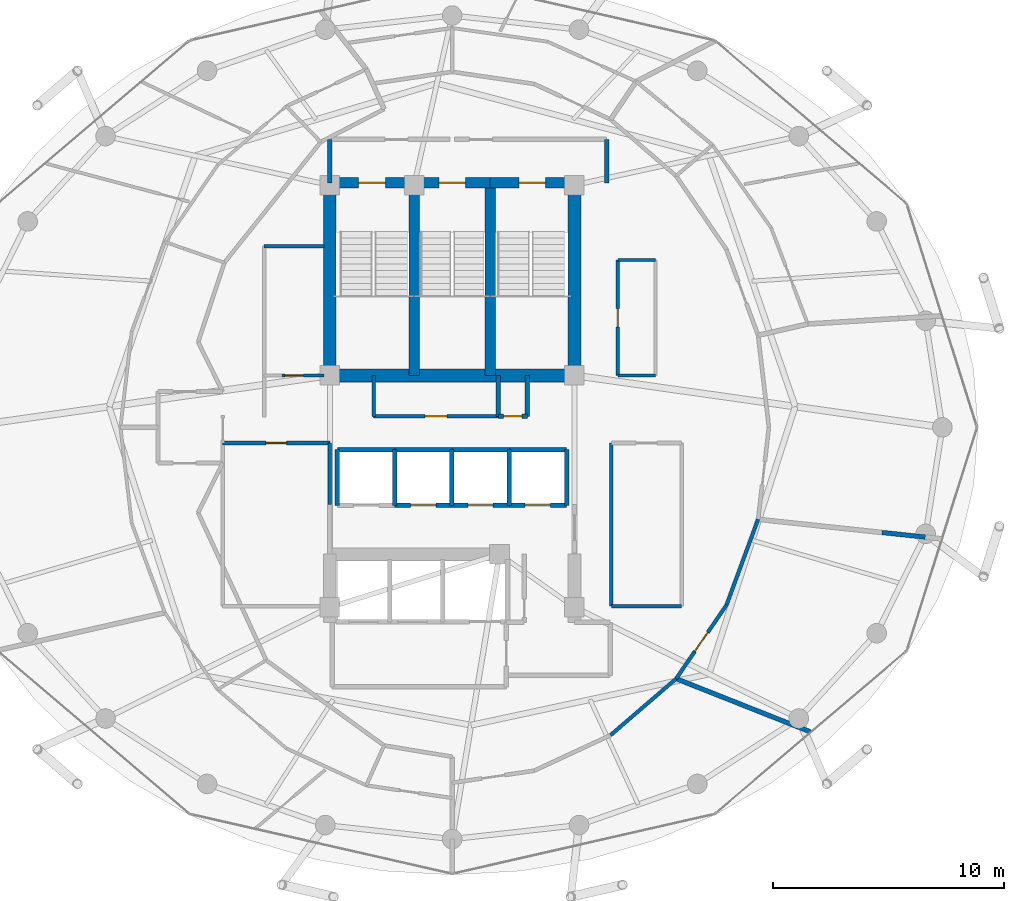
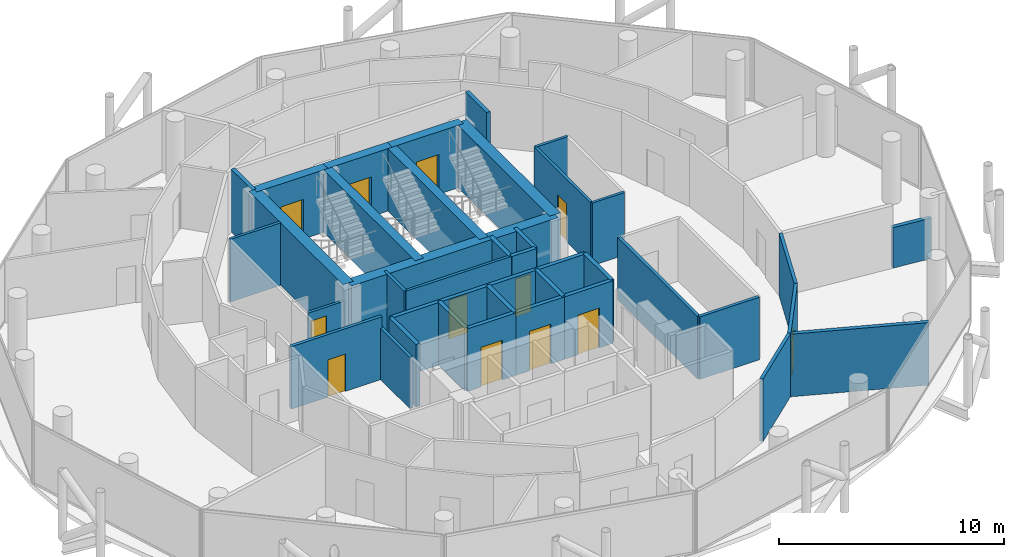
# One storey, part 24 of 27: 41 walls, 12 doors, 12 openings.
"""IFC4 building model written with IfcOpenShell, lengths in metres."""

from ifc_helpers import new_model, si_unit, direction, frame, frame_2d, origin, place, context, subcontext, project, spatial, rectangle, extrude, material, layer, layer_set, type_object, element, fill, save


model = new_model("IFC4")

# Units and contexts
model_context = context("Model", 3, precision=1e-05, world=origin(), true_north=direction((0.0, 1.0)))
body_context = subcontext(model_context, "Body", "Model", "MODEL_VIEW")
ifc_project = project(units=[si_unit("LENGTHUNIT", "METRE"), si_unit("AREAUNIT", "SQUARE_METRE"), si_unit("VOLUMEUNIT", "CUBIC_METRE"), si_unit("PLANEANGLEUNIT", "RADIAN"), si_unit("MASSUNIT", "GRAM", prefix="KILO")], contexts=[model_context])

# Site, building, storey
site_placement = place(None, origin())
site = spatial("IfcSite", under=ifc_project, at=site_placement, CompositionType="ELEMENT")
building_placement = place(site_placement, origin())
building = spatial("IfcBuilding", under=site, at=building_placement, Name="Nuhasar Tower", CompositionType="ELEMENT")
storey_placement = place(building_placement, frame((0.0, 0.0, 251.949951171875)))
storey = spatial("IfcBuildingStorey", under=building, at=storey_placement, Name="L62", CompositionType="ELEMENT", Elevation=251.949951171875)

# Wall, opening, door
ifc_material_1 = material(Name="Concrete C50/60", Category="concrete")
ifc_layer_1 = layer(ifc_material_1, 0.449951171875)
ifc_layer_set_1 = layer_set([ifc_layer_1], Name="Concrete C50/60")
wall_type_1 = type_object("IfcWallType", Name="WL-CORE-450", PredefinedType="SHEAR", material=ifc_layer_set_1)
wall_1_placement = place(storey_placement, frame((37.35009765625, 37.39990234375, 0.0), z_axis=(0.0, 0.0, 1.0), x_axis=(-1.0, 0.0, 0.0)))
wall_1 = element("IfcWall", 1, at=wall_1_placement, inside=storey, type_object=wall_type_1, Name="L62 Stairwell Shear Wall ST01-N", PredefinedType="SHEAR", context=body_context, shape_type="SweptSolid", body=[
    extrude(rectangle(XDim=3.650146484375, YDim=0.449951171875, at=frame_2d((1.8251953125, 0.0))), origin(), (0.0, 0.0, 1.0), 3.39013671875),
])
opening_1_placement = place(wall_1_placement, frame((1.25, 0.0, 0.0)))
opening_1 = element("IfcOpeningElement", 2, at=opening_1_placement, cuts=wall_1, Name="Opening DS-01", PredefinedType="OPENING", context=body_context, shape_type="SweptSolid", body=[
    extrude(rectangle(XDim=1.14990234375, YDim=2.14990234375, at=frame_2d((0.574951171875, 1.074951171875))), frame((0.0, 0.23486328125, 0.0), z_axis=(0.0, -1.0, 0.0), x_axis=(1.0, 0.0, 0.0)), (0.0, 0.0, 1.0), 0.469970703125),
])
ifc_material_2 = material(Name="Steel S355", Category="steel")
door_type_1 = type_object("IfcDoorType", Name="DR-STAIR-FD120-1150", OperationType="NOTDEFINED", PredefinedType="DOOR", material=ifc_material_2)
door_1_placement = place(opening_1_placement, origin())
door_1 = element("IfcDoor", 3, at=door_1_placement, inside=storey, type_object=door_type_1, Name="L62 Exit Stair ST-01 Door", OperationType="SINGLE_SWING_RIGHT", OverallHeight=2.14990234375, OverallWidth=1.14990234375, PredefinedType="DOOR", context=body_context, shape_type="SweptSolid", body=[
    extrude(rectangle(XDim=1.14990234375, YDim=2.14990234375, at=frame_2d((0.574951171875, 1.074951171875))), frame((0.0, 0.02490234375, 0.0), z_axis=(0.0, -1.0, 0.0), x_axis=(1.0, 0.0, 0.0)), (0.0, 0.0, 1.0), 0.050048828125),
])
fill(opening_1, door_1)

# Wall
wall_2_placement = place(storey_placement, frame((37.35009765625, 29.050048828125, 0.0), z_axis=(0.0, 0.0, 1.0), x_axis=(0.0, 1.0, 0.0)))
element("IfcWall", 4, at=wall_2_placement, inside=storey, type_object=wall_type_1, Name="L62 Stairwell Shear Wall ST01-E", PredefinedType="SHEAR", context=body_context, shape_type="SweptSolid", body=[
    extrude(rectangle(XDim=8.349853515625, YDim=0.449951171875, at=frame_2d((4.1748046875, 0.0))), origin(), (0.0, 0.0, 1.0), 3.39013671875),
])

# Wall, opening, door
wall_3_placement = place(storey_placement, frame((40.64990234375, 37.39990234375, 0.0), z_axis=(0.0, 0.0, 1.0), x_axis=(-1.0, 0.0, 0.0)))
wall_3 = element("IfcWall", 5, at=wall_3_placement, inside=storey, type_object=wall_type_1, Name="L62 Stairwell Shear Wall ST03-N", PredefinedType="SHEAR", context=body_context, shape_type="SweptSolid", body=[
    extrude(rectangle(XDim=3.2998046875, YDim=0.449951171875, at=frame_2d((1.64990234375, 0.0))), origin(), (0.0, 0.0, 1.0), 3.39013671875),
])
opening_2_placement = place(wall_3_placement, frame((1.074951171875, 0.0, 0.0)))
opening_2 = element("IfcOpeningElement", 6, at=opening_2_placement, cuts=wall_3, Name="Opening DS-01", PredefinedType="OPENING", context=body_context, shape_type="SweptSolid", body=[
    extrude(rectangle(XDim=1.14990234375, YDim=2.14990234375, at=frame_2d((0.574951171875, 1.074951171875))), frame((0.0, 0.23486328125, 0.0), z_axis=(0.0, -1.0, 0.0), x_axis=(1.0, 0.0, 0.0)), (0.0, 0.0, 1.0), 0.469970703125),
])
door_2_placement = place(opening_2_placement, origin())
door_2 = element("IfcDoor", 7, at=door_2_placement, inside=storey, type_object=door_type_1, Name="L62 Exit Stair ST-03 Door", OperationType="SINGLE_SWING_RIGHT", OverallHeight=2.14990234375, OverallWidth=1.14990234375, PredefinedType="DOOR", context=body_context, shape_type="SweptSolid", body=[
    extrude(rectangle(XDim=1.14990234375, YDim=2.14990234375, at=frame_2d((0.574951171875, 1.074951171875))), frame((0.0, 0.02490234375, 0.0), z_axis=(0.0, -1.0, 0.0), x_axis=(1.0, 0.0, 0.0)), (0.0, 0.0, 1.0), 0.050048828125),
])
fill(opening_2, door_2)

# Wall
wall_4_placement = place(storey_placement, frame((40.64990234375, 29.050048828125, 0.0), z_axis=(0.0, 0.0, 1.0), x_axis=(0.0, 1.0, 0.0)))
element("IfcWall", 8, at=wall_4_placement, inside=storey, type_object=wall_type_1, Name="L62 Stairwell Shear Wall ST03-E", PredefinedType="SHEAR", context=body_context, shape_type="SweptSolid", body=[
    extrude(rectangle(XDim=8.349853515625, YDim=0.449951171875, at=frame_2d((4.1748046875, 0.0))), origin(), (0.0, 0.0, 1.0), 3.39013671875),
])

# Wall, opening, door
wall_5_placement = place(storey_placement, frame((44.300048828125, 37.39990234375, 0.0), z_axis=(0.0, 0.0, 1.0), x_axis=(-1.0, 0.0, 0.0)))
wall_5 = element("IfcWall", 9, at=wall_5_placement, inside=storey, type_object=wall_type_1, Name="L62 Stairwell Shear Wall ST02-N", PredefinedType="SHEAR", context=body_context, shape_type="SweptSolid", body=[
    extrude(rectangle(XDim=3.650146484375, YDim=0.449951171875, at=frame_2d((1.8251953125, 0.0))), origin(), (0.0, 0.0, 1.0), 3.39013671875),
])
opening_3_placement = place(wall_5_placement, frame((1.25, 0.0, 0.0)))
opening_3 = element("IfcOpeningElement", 10, at=opening_3_placement, cuts=wall_5, Name="Opening DS-01", PredefinedType="OPENING", context=body_context, shape_type="SweptSolid", body=[
    extrude(rectangle(XDim=1.14990234375, YDim=2.14990234375, at=frame_2d((0.574951171875, 1.074951171875))), frame((0.0, 0.23486328125, 0.0), z_axis=(0.0, -1.0, 0.0), x_axis=(1.0, 0.0, 0.0)), (0.0, 0.0, 1.0), 0.469970703125),
])
door_3_placement = place(opening_3_placement, origin())
door_3 = element("IfcDoor", 11, at=door_3_placement, inside=storey, type_object=door_type_1, Name="L62 Exit Stair ST-02 Door", OperationType="SINGLE_SWING_LEFT", OverallHeight=2.14990234375, OverallWidth=1.14990234375, PredefinedType="DOOR", context=body_context, shape_type="SweptSolid", body=[
    extrude(rectangle(XDim=1.14990234375, YDim=2.14990234375, at=frame_2d((0.574951171875, 1.074951171875))), frame((0.0, 0.02490234375, 0.0), z_axis=(0.0, -1.0, 0.0), x_axis=(1.0, 0.0, 0.0)), (0.0, 0.0, 1.0), 0.050048828125),
])
fill(opening_3, door_3)

# Walls
ifc_material_3 = material(Name="Concrete C55/67", Category="concrete")
ifc_layer_2 = layer(ifc_material_3, 0.550048828125)
ifc_layer_set_2 = layer_set([ifc_layer_2], Name="Concrete C55/67")
wall_type_2 = type_object("IfcWallType", Name="WL-CORE-550", PredefinedType="SHEAR", material=ifc_layer_set_2)
for number, where, z_axis, x_axis, name in (
    (12, (33.699951171875, 29.050048828125, 0.0), (0.0, 0.0, 1.0), (0.0, 1.0, 0.0), "L62 Core Shear Wall CW-NW CW-550"),
    (13, (44.300048828125, 29.050048828125, 0.0), (0.0, 0.0, 1.0), (0.0, 1.0, 0.0), "L62 Core Shear Wall CW-NE CW-550"),
):
    element("IfcWall", number, at=place(storey_placement, frame(where, z_axis=z_axis, x_axis=x_axis)), inside=storey, type_object=wall_type_2, Name=name, PredefinedType="SHEAR", context=body_context, shape_type="SweptSolid", body=[
        extrude(rectangle(XDim=8.349853515625, YDim=0.550048828125, at=frame_2d((4.1748046875, 0.0))), origin(), (0.0, 0.0, 1.0), 3.39013671875),
    ])
wall_6_placement = place(storey_placement, frame((33.699951171875, 29.050048828125, 0.0), z_axis=(0.0, 0.0, 1.0), x_axis=(1.0, 0.0, 0.0)))
element("IfcWall", 14, at=wall_6_placement, inside=storey, type_object=wall_type_2, Name="L62 Core Shear Wall CW-N1 CW-550", PredefinedType="SHEAR", context=body_context, shape_type="SweptSolid", body=[
    extrude(rectangle(XDim=10.60009765625, YDim=0.550048828125, at=frame_2d((5.300048828125, 0.0))), origin(), (0.0, 0.0, 1.0), 3.39013671875),
])
ifc_material_4 = material(Name="Gypsum Board", Category="gypsum")
ifc_layer_3 = layer(ifc_material_4, 0.159912109375)
ifc_layer_set_3 = layer_set([ifc_layer_3], Name="Gypsum Board")
wall_type_3 = type_object("IfcWallType", Name="WL-CORR-160", PredefinedType="PARTITIONING", material=ifc_layer_set_3)
wall_7_placement = place(storey_placement, frame((33.699951171875, 23.449951171875, 0.0), z_axis=(0.0, 0.0, 1.0), x_axis=(0.0, 1.0, 0.0)))
element("IfcWall", 15, at=wall_7_placement, inside=storey, type_object=wall_type_3, Name="L62 Interior Partition RECL-B1-E", PredefinedType="PARTITIONING", context=body_context, shape_type="SweptSolid", body=[
    extrude(rectangle(XDim=2.670166015625, YDim=0.159912109375, at=frame_2d((1.3349609375, 0.0))), origin(), (0.0, 0.0, 1.0), 2.775146484375),
])

# Wall, opening, door
wall_8_placement = place(storey_placement, frame((33.699951171875, 26.1201171875, 0.0), z_axis=(0.0, 0.0, 1.0), x_axis=(-1.0, 0.0, 0.0)))
wall_8 = element("IfcWall", 16, at=wall_8_placement, inside=storey, type_object=wall_type_3, Name="L62 Interior Partition RECL-B1-N", PredefinedType="PARTITIONING", context=body_context, shape_type="SweptSolid", body=[
    extrude(rectangle(XDim=4.64990234375, YDim=0.159912109375, at=frame_2d((2.324951171875, 0.0))), origin(), (0.0, 0.0, 1.0), 3.39013671875),
])
opening_4_placement = place(wall_8_placement, frame((1.875, 0.0, 0.0)))
opening_4 = element("IfcOpeningElement", 17, at=opening_4_placement, cuts=wall_8, Name="Opening DR-01B", PredefinedType="OPENING", context=body_context, shape_type="SweptSolid", body=[
    extrude(rectangle(XDim=0.89990234375, YDim=2.02001953125, at=frame_2d((0.449951171875, 1.010009765625))), frame((0.0, 0.08984375, 0.0), z_axis=(0.0, -1.0, 0.0), x_axis=(1.0, 0.0, 0.0)), (0.0, 0.0, 1.0), 0.179931640625),
])
ifc_material_5 = material(Name="Timber Oak", Category="wood")
door_type_2 = type_object("IfcDoorType", Name="DR-L62-ROOM-900", OperationType="NOTDEFINED", PredefinedType="DOOR", material=ifc_material_5)
door_4_placement = place(opening_4_placement, origin())
door_4 = element("IfcDoor", 18, at=door_4_placement, inside=storey, type_object=door_type_2, Name="L62 Butler Store Door", OperationType="SINGLE_SWING_LEFT", OverallHeight=2.02001953125, OverallWidth=0.89990234375, PredefinedType="DOOR", context=body_context, shape_type="SweptSolid", body=[
    extrude(rectangle(XDim=0.89990234375, YDim=2.02001953125, at=frame_2d((0.449951171875, 1.010009765625))), frame((0.0, 0.02490234375, 0.0), z_axis=(0.0, -1.0, 0.0), x_axis=(1.0, 0.0, 0.0)), (0.0, 0.0, 1.0), 0.050048828125),
])
fill(opening_4, door_4)

# Walls
wall_9_placement = place(storey_placement, frame((45.89990234375, 19.050048828125, 0.0), z_axis=(0.0, 0.0, 1.0), x_axis=(1.0, 0.0, 0.0)))
element("IfcWall", 19, at=wall_9_placement, inside=storey, type_object=wall_type_3, Name="L62 Interior Partition RECL-B2-S", PredefinedType="PARTITIONING", context=body_context, shape_type="SweptSolid", body=[
    extrude(rectangle(XDim=3.050048828125, YDim=0.159912109375, at=frame_2d((1.52490234375, 0.0))), origin(), (0.0, 0.0, 1.0), 3.39013671875),
])
wall_10_placement = place(storey_placement, frame((45.89990234375, 19.050048828125, 0.0), z_axis=(0.0, 0.0, 1.0), x_axis=(0.0, 1.0, 0.0)))
element("IfcWall", 20, at=wall_10_placement, inside=storey, type_object=wall_type_3, Name="L62 Interior Partition RECL-B2-W", PredefinedType="PARTITIONING", context=body_context, shape_type="SweptSolid", body=[
    extrude(rectangle(XDim=7.070068359375, YDim=0.159912109375, at=frame_2d((3.53515625, 0.0))), origin(), (0.0, 0.0, 1.0), 3.39013671875),
])
wall_11_placement = place(storey_placement, frame((45.864990234375, 13.455078125, 0.0), z_axis=(0.0, 0.0, 1.0), x_axis=(0.75790014932, 0.652370572344, 0.0)))
element("IfcWall", 21, at=wall_11_placement, inside=storey, type_object=wall_type_3, Name="L62 Interior Partition CORR-40", PredefinedType="PARTITIONING", context=body_context, shape_type="SweptSolid", body=[
    extrude(rectangle(XDim=3.75244140625, YDim=0.159912109375, at=frame_2d((1.876220703125, 0.0))), origin(), (0.0, 0.0, 1.0), 3.39013671875),
])

# Wall, opening, door
wall_12_placement = place(storey_placement, frame((50.89111328125, 19.094970703125, 0.0), z_axis=(0.0, 0.0, 1.0), x_axis=(-0.564366970485, -0.825524029103, 0.0)))
wall_12 = element("IfcWall", 22, at=wall_12_placement, inside=storey, type_object=wall_type_3, Name="L62 Interior Partition CORR-42", PredefinedType="PARTITIONING", context=body_context, shape_type="SweptSolid", body=[
    extrude(rectangle(XDim=3.866455078125, YDim=0.159912109375, at=frame_2d((1.93310546875, 0.0))), origin(), (0.0, 0.0, 1.0), 3.39013671875),
])
opening_5_placement = place(wall_12_placement, frame((1.43310546875, 0.0, 0.0)))
opening_5 = element("IfcOpeningElement", 23, at=opening_5_placement, cuts=wall_12, Name="Opening DU-02B", PredefinedType="OPENING", context=body_context, shape_type="SweptSolid", body=[
    extrude(rectangle(XDim=1.0, YDim=2.02001953125, at=frame_2d((0.5, 1.010009765625))), frame((0.0, 0.08984375, 0.0), z_axis=(0.0, -1.0, 0.0), x_axis=(1.0, 0.0, 0.0)), (0.0, 0.0, 1.0), 0.179931640625),
])
door_type_3 = type_object("IfcDoorType", Name="DR-L62-FD60-1000", OperationType="NOTDEFINED", PredefinedType="DOOR", material=ifc_material_5)
door_5_placement = place(opening_5_placement, origin())
door_5 = element("IfcDoor", 24, at=door_5_placement, inside=storey, type_object=door_type_3, Name="L62 Horizon Sky Reading Library Entrance Door", OperationType="SINGLE_SWING_LEFT", OverallHeight=2.02001953125, OverallWidth=1.0, PredefinedType="DOOR", context=body_context, shape_type="SweptSolid", body=[
    extrude(rectangle(XDim=1.0, YDim=2.02001953125, at=frame_2d((0.5, 1.010009765625))), frame((0.0, 0.02490234375, 0.0), z_axis=(0.0, -1.0, 0.0), x_axis=(1.0, 0.0, 0.0)), (0.0, 0.0, 1.0), 0.050048828125),
])
fill(opening_5, door_5)

# Walls
wall_13_placement = place(storey_placement, frame((50.89111328125, 19.094970703125, 0.0), z_axis=(0.0, 0.0, 1.0), x_axis=(0.346019472199, 0.938227331119, 0.0)))
element("IfcWall", 25, at=wall_13_placement, inside=storey, type_object=wall_type_3, Name="L62 Interior Partition CORR-44", PredefinedType="PARTITIONING", context=body_context, shape_type="SweptSolid", body=[
    extrude(rectangle(XDim=3.961669921875, YDim=0.159912109375, at=frame_2d((1.98095703125, 0.0))), origin(), (0.0, 0.0, 1.0), 3.39013671875),
])
ifc_material_6 = material(Name="Concrete C45/55", Category="concrete")
ifc_layer_4 = layer(ifc_material_6, 0.199951171875)
ifc_layer_set_4 = layer_set([ifc_layer_4], Name="Concrete C45/55")
wall_type_4 = type_object("IfcWallType", Name="WL-LOBBY-200", PredefinedType="SOLIDWALL", material=ifc_layer_set_4)
for number, where, z_axis, x_axis, name in (
    (26, (33.699951171875, 37.39990234375, 0.0), (0.0, 0.0, 1.0), (0.0, 1.0, 0.0), "L62 Interior Partition NSL-W"),
    (27, (45.699951171875, 37.39990234375, 0.0), (0.0, 0.0, 1.0), (0.0, 1.0, 0.0), "L62 Interior Partition NSL-E"),
):
    element("IfcWall", number, at=place(storey_placement, frame(where, z_axis=z_axis, x_axis=x_axis)), inside=storey, type_object=wall_type_4, Name=name, PredefinedType="SOLIDWALL", context=body_context, shape_type="SweptSolid", body=[
        extrude(rectangle(XDim=1.880126953125, YDim=0.199951171875, at=frame_2d((0.93994140625, 0.0))), origin(), (0.0, 0.0, 1.0), 3.39013671875),
    ])
ifc_layer_5 = layer(ifc_material_6, 0.199951171875)
ifc_layer_set_5 = layer_set([ifc_layer_5], Name="Concrete C45/55")
wall_type_5 = type_object("IfcWallType", Name="WL-SHAFT-200", PredefinedType="SOLIDWALL", material=ifc_layer_set_5)
for number, where, z_axis, x_axis, name in (
    (28, (41.0, 27.280029296875, 0.0), (0.0, 0.0, 1.0), (0.0, 1.0, 0.0), "L62 Interior Partition RSRN-W"),
    (29, (42.260009765625, 27.280029296875, 0.0), (0.0, 0.0, 1.0), (0.0, 1.0, 0.0), "L62 Interior Partition RSRN-E"),
):
    element("IfcWall", number, at=place(storey_placement, frame(where, z_axis=z_axis, x_axis=x_axis)), inside=storey, type_object=wall_type_5, Name=name, PredefinedType="SOLIDWALL", context=body_context, shape_type="SweptSolid", body=[
        extrude(rectangle(XDim=1.77001953125, YDim=0.199951171875, at=frame_2d((0.885009765625, 0.0))), origin(), (0.0, 0.0, 1.0), 3.39013671875),
    ])

# Wall, opening, door
wall_14_placement = place(storey_placement, frame((41.0, 27.280029296875, 0.0), z_axis=(0.0, 0.0, 1.0), x_axis=(1.0, 0.0, 0.0)))
wall_14 = element("IfcWall", 30, at=wall_14_placement, inside=storey, type_object=wall_type_5, Name="L62 Interior Partition RSRN-S", PredefinedType="SOLIDWALL", context=body_context, shape_type="SweptSolid", body=[
    extrude(rectangle(XDim=1.260009765625, YDim=0.199951171875, at=frame_2d((0.6298828125, 0.0))), origin(), (0.0, 0.0, 1.0), 3.39013671875),
])
opening_6_placement = place(wall_14_placement, frame((0.22998046875, 0.0, 0.0)))
opening_6 = element("IfcOpeningElement", 31, at=opening_6_placement, cuts=wall_14, Name="Opening DM-01", PredefinedType="OPENING", context=body_context, shape_type="SweptSolid", body=[
    extrude(rectangle(XDim=0.800048828125, YDim=2.050048828125, at=frame_2d((0.39990234375, 1.02490234375))), frame((0.0, 0.10986328125, 0.0), z_axis=(0.0, -1.0, 0.0), x_axis=(1.0, 0.0, 0.0)), (0.0, 0.0, 1.0), 0.219970703125),
])
door_type_4 = type_object("IfcDoorType", Name="DR-RISER-FD60-800", OperationType="NOTDEFINED", PredefinedType="DOOR", material=ifc_material_2)
door_6_placement = place(opening_6_placement, origin())
door_6 = element("IfcDoor", 32, at=door_6_placement, inside=storey, type_object=door_type_4, Name="L62 North Smoke Riser Door", OperationType="SINGLE_SWING_RIGHT", OverallHeight=2.050048828125, OverallWidth=0.800048828125, PredefinedType="DOOR", context=body_context, shape_type="SweptSolid", body=[
    extrude(rectangle(XDim=0.800048828125, YDim=2.050048828125, at=frame_2d((0.39990234375, 1.02490234375))), frame((0.0, 0.02490234375, 0.0), z_axis=(0.0, -1.0, 0.0), x_axis=(1.0, 0.0, 0.0)), (0.0, 0.0, 1.0), 0.050048828125),
])
fill(opening_6, door_6)

# Walls
wall_15_placement = place(storey_placement, frame((34.02001953125, 25.830078125, 0.0), z_axis=(0.0, 0.0, 1.0), x_axis=(1.0, 0.0, 0.0)))
element("IfcWall", 33, at=wall_15_placement, inside=storey, type_object=wall_type_5, Name="L62 Interior Partition SHF-PL-H01-N", PredefinedType="SOLIDWALL", context=body_context, shape_type="SweptSolid", body=[
    extrude(rectangle(XDim=2.5, YDim=0.199951171875, at=frame_2d((1.25, 0.0))), origin(), (0.0, 0.0, 1.0), 3.39013671875),
])
for number, where, z_axis, x_axis, name in (
    (34, (34.02001953125, 23.419921875, 0.0), (0.0, 0.0, 1.0), (0.0, 1.0, 0.0), "L62 Interior Partition SHF-PL-H01-W"),
    (35, (36.510009765625, 23.419921875, 0.0), (0.0, 0.0, 1.0), (0.0, 1.0, 0.0), "L62 Interior Partition SHF-PL-H01-E"),
):
    element("IfcWall", number, at=place(storey_placement, frame(where, z_axis=z_axis, x_axis=x_axis)), inside=storey, type_object=wall_type_5, Name=name, PredefinedType="SOLIDWALL", context=body_context, shape_type="SweptSolid", body=[
        extrude(rectangle(XDim=2.41015625, YDim=0.199951171875, at=frame_2d((1.205078125, 0.0))), origin(), (0.0, 0.0, 1.0), 3.39013671875),
    ])

# Wall, opening, door
wall_16_placement = place(storey_placement, frame((36.5, 23.419921875, 0.0), z_axis=(0.0, 0.0, 1.0), x_axis=(1.0, 0.0, 0.0)))
wall_16 = element("IfcWall", 36, at=wall_16_placement, inside=storey, type_object=wall_type_5, Name="L62 Interior Partition SHF-PL-H02-S", PredefinedType="SOLIDWALL", context=body_context, shape_type="SweptSolid", body=[
    extrude(rectangle(XDim=2.5, YDim=0.199951171875, at=frame_2d((1.25, 0.0))), origin(), (0.0, 0.0, 1.0), 3.39013671875),
])
opening_7_placement = place(wall_16_placement, frame((0.699951171875, 0.0, 0.0)))
opening_7 = element("IfcOpeningElement", 37, at=opening_7_placement, cuts=wall_16, Name="Opening LD-H02", PredefinedType="OPENING", context=body_context, shape_type="SweptSolid", body=[
    extrude(rectangle(XDim=1.10009765625, YDim=2.14990234375, at=frame_2d((0.550048828125, 1.074951171875))), frame((0.0, 0.10986328125, 0.0), z_axis=(0.0, -1.0, 0.0), x_axis=(1.0, 0.0, 0.0)), (0.0, 0.0, 1.0), 0.219970703125),
])
ifc_material_7 = material(Name="Stainless Steel 316L", Category="steel")
door_type_5 = type_object("IfcDoorType", Name="LD-PAX-1100", OperationType="DOUBLE_DOOR_SLIDING", PredefinedType="DOOR", material=ifc_material_7)
door_7_placement = place(opening_7_placement, origin())
door_7 = element("IfcDoor", 38, at=door_7_placement, inside=storey, type_object=door_type_5, Name="L62 Lift Landing Door PL-H02", OperationType="DOUBLE_DOOR_SLIDING", OverallHeight=2.14990234375, OverallWidth=1.10009765625, PredefinedType="DOOR", context=body_context, shape_type="SweptSolid", body=[
    extrude(rectangle(XDim=1.10009765625, YDim=2.14990234375, at=frame_2d((0.550048828125, 1.074951171875))), frame((0.0, 0.02490234375, 0.0), z_axis=(0.0, -1.0, 0.0), x_axis=(1.0, 0.0, 0.0)), (0.0, 0.0, 1.0), 0.050048828125),
])
fill(opening_7, door_7)

# Walls
wall_17_placement = place(storey_placement, frame((36.5, 25.830078125, 0.0), z_axis=(0.0, 0.0, 1.0), x_axis=(1.0, 0.0, 0.0)))
element("IfcWall", 39, at=wall_17_placement, inside=storey, type_object=wall_type_5, Name="L62 Interior Partition SHF-PL-H02-N", PredefinedType="SOLIDWALL", context=body_context, shape_type="SweptSolid", body=[
    extrude(rectangle(XDim=2.5, YDim=0.199951171875, at=frame_2d((1.25, 0.0))), origin(), (0.0, 0.0, 1.0), 3.39013671875),
])
wall_18_placement = place(storey_placement, frame((38.989990234375, 23.419921875, 0.0), z_axis=(0.0, 0.0, 1.0), x_axis=(0.0, 1.0, 0.0)))
element("IfcWall", 40, at=wall_18_placement, inside=storey, type_object=wall_type_5, Name="L62 Interior Partition SHF-PL-H02-E", PredefinedType="SOLIDWALL", context=body_context, shape_type="SweptSolid", body=[
    extrude(rectangle(XDim=2.41015625, YDim=0.199951171875, at=frame_2d((1.205078125, 0.0))), origin(), (0.0, 0.0, 1.0), 3.39013671875),
])

# Wall, opening, door
wall_19_placement = place(storey_placement, frame((38.97998046875, 23.419921875, 0.0), z_axis=(0.0, 0.0, 1.0), x_axis=(1.0, 0.0, 0.0)))
wall_19 = element("IfcWall", 41, at=wall_19_placement, inside=storey, type_object=wall_type_5, Name="L62 Interior Partition SHF-PL-H03-S", PredefinedType="SOLIDWALL", context=body_context, shape_type="SweptSolid", body=[
    extrude(rectangle(XDim=2.5, YDim=0.199951171875, at=frame_2d((1.25, 0.0))), origin(), (0.0, 0.0, 1.0), 3.39013671875),
])
opening_8_placement = place(wall_19_placement, frame((0.699951171875, 0.0, 0.0)))
opening_8 = element("IfcOpeningElement", 42, at=opening_8_placement, cuts=wall_19, Name="Opening LD-H03", PredefinedType="OPENING", context=body_context, shape_type="SweptSolid", body=[
    extrude(rectangle(XDim=1.10009765625, YDim=2.14990234375, at=frame_2d((0.550048828125, 1.074951171875))), frame((0.0, 0.10986328125, 0.0), z_axis=(0.0, -1.0, 0.0), x_axis=(1.0, 0.0, 0.0)), (0.0, 0.0, 1.0), 0.219970703125),
])
door_8_placement = place(opening_8_placement, origin())
door_8 = element("IfcDoor", 43, at=door_8_placement, inside=storey, type_object=door_type_5, Name="L62 Lift Landing Door PL-H03", OperationType="DOUBLE_DOOR_SLIDING", OverallHeight=2.14990234375, OverallWidth=1.10009765625, PredefinedType="DOOR", context=body_context, shape_type="SweptSolid", body=[
    extrude(rectangle(XDim=1.10009765625, YDim=2.14990234375, at=frame_2d((0.550048828125, 1.074951171875))), frame((0.0, 0.02490234375, 0.0), z_axis=(0.0, -1.0, 0.0), x_axis=(1.0, 0.0, 0.0)), (0.0, 0.0, 1.0), 0.050048828125),
])
fill(opening_8, door_8)

# Walls
wall_20_placement = place(storey_placement, frame((38.97998046875, 25.830078125, 0.0), z_axis=(0.0, 0.0, 1.0), x_axis=(1.0, 0.0, 0.0)))
element("IfcWall", 44, at=wall_20_placement, inside=storey, type_object=wall_type_5, Name="L62 Interior Partition SHF-PL-H03-N", PredefinedType="SOLIDWALL", context=body_context, shape_type="SweptSolid", body=[
    extrude(rectangle(XDim=2.5, YDim=0.199951171875, at=frame_2d((1.25, 0.0))), origin(), (0.0, 0.0, 1.0), 3.39013671875),
])
wall_21_placement = place(storey_placement, frame((41.469970703125, 23.419921875, 0.0), z_axis=(0.0, 0.0, 1.0), x_axis=(0.0, 1.0, 0.0)))
element("IfcWall", 45, at=wall_21_placement, inside=storey, type_object=wall_type_5, Name="L62 Interior Partition SHF-PL-H03-E", PredefinedType="SOLIDWALL", context=body_context, shape_type="SweptSolid", body=[
    extrude(rectangle(XDim=2.41015625, YDim=0.199951171875, at=frame_2d((1.205078125, 0.0))), origin(), (0.0, 0.0, 1.0), 3.39013671875),
])

# Wall, opening, door
wall_22_placement = place(storey_placement, frame((41.4599609375, 23.419921875, 0.0), z_axis=(0.0, 0.0, 1.0), x_axis=(1.0, 0.0, 0.0)))
wall_22 = element("IfcWall", 46, at=wall_22_placement, inside=storey, type_object=wall_type_5, Name="L62 Interior Partition SHF-PL-H04-S", PredefinedType="SOLIDWALL", context=body_context, shape_type="SweptSolid", body=[
    extrude(rectangle(XDim=2.5, YDim=0.199951171875, at=frame_2d((1.25, 0.0))), origin(), (0.0, 0.0, 1.0), 3.39013671875),
])
opening_9_placement = place(wall_22_placement, frame((0.699951171875, 0.0, 0.0)))
opening_9 = element("IfcOpeningElement", 47, at=opening_9_placement, cuts=wall_22, Name="Opening LD-H04", PredefinedType="OPENING", context=body_context, shape_type="SweptSolid", body=[
    extrude(rectangle(XDim=1.10009765625, YDim=2.14990234375, at=frame_2d((0.550048828125, 1.074951171875))), frame((0.0, 0.10986328125, 0.0), z_axis=(0.0, -1.0, 0.0), x_axis=(1.0, 0.0, 0.0)), (0.0, 0.0, 1.0), 0.219970703125),
])
door_9_placement = place(opening_9_placement, origin())
door_9 = element("IfcDoor", 48, at=door_9_placement, inside=storey, type_object=door_type_5, Name="L62 Lift Landing Door PL-H04", OperationType="DOUBLE_DOOR_SLIDING", OverallHeight=2.14990234375, OverallWidth=1.10009765625, PredefinedType="DOOR", context=body_context, shape_type="SweptSolid", body=[
    extrude(rectangle(XDim=1.10009765625, YDim=2.14990234375, at=frame_2d((0.550048828125, 1.074951171875))), frame((0.0, 0.02490234375, 0.0), z_axis=(0.0, -1.0, 0.0), x_axis=(1.0, 0.0, 0.0)), (0.0, 0.0, 1.0), 0.050048828125),
])
fill(opening_9, door_9)

# Walls
wall_23_placement = place(storey_placement, frame((41.4599609375, 25.830078125, 0.0), z_axis=(0.0, 0.0, 1.0), x_axis=(1.0, 0.0, 0.0)))
element("IfcWall", 49, at=wall_23_placement, inside=storey, type_object=wall_type_5, Name="L62 Interior Partition SHF-PL-H04-N", PredefinedType="SOLIDWALL", context=body_context, shape_type="SweptSolid", body=[
    extrude(rectangle(XDim=2.5, YDim=0.199951171875, at=frame_2d((1.25, 0.0))), origin(), (0.0, 0.0, 1.0), 3.39013671875),
])
wall_24_placement = place(storey_placement, frame((43.9599609375, 23.419921875, 0.0), z_axis=(0.0, 0.0, 1.0), x_axis=(0.0, 1.0, 0.0)))
element("IfcWall", 50, at=wall_24_placement, inside=storey, type_object=wall_type_5, Name="L62 Interior Partition SHF-PL-H04-E", PredefinedType="SOLIDWALL", context=body_context, shape_type="SweptSolid", body=[
    extrude(rectangle(XDim=2.41015625, YDim=0.199951171875, at=frame_2d((1.205078125, 0.0))), origin(), (0.0, 0.0, 1.0), 3.39013671875),
])
ifc_material_8 = material(Name="Concrete C40/50 precast", Category="concrete")
ifc_layer_6 = layer(ifc_material_8, 0.199951171875)
ifc_layer_set_6 = layer_set([ifc_layer_6], Name="Concrete C40/50 precast")
wall_type_6 = type_object("IfcWallType", Name="WL-UNIT-200", PredefinedType="PARTITIONING", material=ifc_layer_set_6)
wall_25_placement = place(storey_placement, frame((48.708984375, 15.903076171875, 0.0), z_axis=(0.0, 0.0, 1.0), x_axis=(0.929750366179, -0.368190516703, 0.0)))
element("IfcWall", 51, at=wall_25_placement, inside=storey, type_object=wall_type_6, Name="L62 Interior Partition URAD-42", PredefinedType="PARTITIONING", context=body_context, shape_type="SweptSolid", body=[
    extrude(rectangle(XDim=6.252197265625, YDim=0.199951171875, at=frame_2d((3.1259765625, 0.0))), origin(), (0.0, 0.0, 1.0), 3.39013671875),
])
wall_26_placement = place(storey_placement, frame((57.634033203125, 22.240966796875, 0.0), z_axis=(0.0, 0.0, 1.0), x_axis=(0.994404857139, -0.105636073849, 0.0)))
element("IfcWall", 52, at=wall_26_placement, inside=storey, type_object=wall_type_6, Name="L62 Interior Partition URAD-46", PredefinedType="PARTITIONING", context=body_context, shape_type="SweptSolid", body=[
    extrude(rectangle(XDim=1.883544921875, YDim=0.199951171875, at=frame_2d((0.94189453125, 0.0))), origin(), (0.0, 0.0, 1.0), 2.18994140625),
])
ifc_layer_7 = layer(ifc_material_8, 0.139892578125)
ifc_layer_set_7 = layer_set([ifc_layer_7], Name="Concrete C40/50 precast")
wall_type_7 = type_object("IfcWallType", Name="WL-WET-140", PredefinedType="PARTITIONING", material=ifc_layer_set_7)
wall_27_placement = place(storey_placement, frame((35.60009765625, 27.280029296875, 0.0), z_axis=(0.0, 0.0, 1.0), x_axis=(0.0, 1.0, 0.0)))
element("IfcWall", 53, at=wall_27_placement, inside=storey, type_object=wall_type_7, Name="L62 Interior Partition CSVC-W", PredefinedType="PARTITIONING", context=body_context, shape_type="SweptSolid", body=[
    extrude(rectangle(XDim=1.77001953125, YDim=0.139892578125, at=frame_2d((0.885009765625, 0.0))), origin(), (0.0, 0.0, 1.0), 3.39013671875),
])

# Wall, opening, door
wall_28_placement = place(storey_placement, frame((35.60009765625, 27.280029296875, 0.0), z_axis=(0.0, 0.0, 1.0), x_axis=(1.0, 0.0, 0.0)))
wall_28 = element("IfcWall", 54, at=wall_28_placement, inside=storey, type_object=wall_type_7, Name="L62 Interior Partition CSVC-S", PredefinedType="PARTITIONING", context=body_context, shape_type="SweptSolid", body=[
    extrude(rectangle(XDim=5.39990234375, YDim=0.139892578125, at=frame_2d((2.699951171875, 0.0))), origin(), (0.0, 0.0, 1.0), 3.39013671875),
])
opening_10_placement = place(wall_28_placement, frame((2.22509765625, 0.0, 0.0)))
opening_10 = element("IfcOpeningElement", 55, at=opening_10_placement, cuts=wall_28, Name="Opening DA-01", PredefinedType="OPENING", context=body_context, shape_type="SweptSolid", body=[
    extrude(rectangle(XDim=0.949951171875, YDim=2.10009765625, at=frame_2d((0.47509765625, 1.050048828125))), frame((0.0, 0.080078125, 0.0), z_axis=(0.0, -1.0, 0.0), x_axis=(1.0, 0.0, 0.0)), (0.0, 0.0, 1.0), 0.159912109375),
])
door_type_6 = type_object("IfcDoorType", Name="DR-ACCWC-950", OperationType="NOTDEFINED", PredefinedType="DOOR", material=ifc_material_5)
door_10_placement = place(opening_10_placement, origin())
door_10 = element("IfcDoor", 56, at=door_10_placement, inside=storey, type_object=door_type_6, Name="L62 Core Accessible Restroom Door", OperationType="SINGLE_SWING_LEFT", OverallHeight=2.10009765625, OverallWidth=0.949951171875, PredefinedType="DOOR", context=body_context, shape_type="SweptSolid", body=[
    extrude(rectangle(XDim=0.949951171875, YDim=2.10009765625, at=frame_2d((0.47509765625, 1.050048828125))), frame((0.0, 0.02490234375, 0.0), z_axis=(0.0, -1.0, 0.0), x_axis=(1.0, 0.0, 0.0)), (0.0, 0.0, 1.0), 0.050048828125),
])
fill(opening_10, door_10)

wall_29_placement = place(storey_placement, frame((31.6298828125, 29.050048828125, 0.0), z_axis=(0.0, 0.0, 1.0), x_axis=(1.0, 0.0, 0.0)))
wall_29 = element("IfcWall", 57, at=wall_29_placement, inside=storey, type_object=wall_type_7, Name="L62 Interior Partition K3-NW-S", PredefinedType="PARTITIONING", context=body_context, shape_type="SweptSolid", body=[
    extrude(rectangle(XDim=1.820068359375, YDim=0.139892578125, at=frame_2d((0.91015625, 0.0))), origin(), (0.0, 0.0, 1.0), 2.530029296875),
])
opening_11_placement = place(wall_29_placement, frame((0.1201171875, 0.0, 0.0)))
opening_11 = element("IfcOpeningElement", 58, at=opening_11_placement, cuts=wall_29, Name="Opening DM-01", PredefinedType="OPENING", context=body_context, shape_type="SweptSolid", body=[
    extrude(rectangle(XDim=0.800048828125, YDim=2.050048828125, at=frame_2d((0.39990234375, 1.02490234375))), frame((0.0, 0.080078125, 0.0), z_axis=(0.0, -1.0, 0.0), x_axis=(1.0, 0.0, 0.0)), (0.0, 0.0, 1.0), 0.159912109375),
])
door_11_placement = place(opening_11_placement, origin())
door_11 = element("IfcDoor", 59, at=door_11_placement, inside=storey, type_object=door_type_4, Name="L62 NW Electrical Room Door", OperationType="SINGLE_SWING_LEFT", OverallHeight=2.050048828125, OverallWidth=0.800048828125, PredefinedType="DOOR", context=body_context, shape_type="SweptSolid", body=[
    extrude(rectangle(XDim=0.800048828125, YDim=2.050048828125, at=frame_2d((0.39990234375, 1.02490234375))), frame((0.0, 0.02490234375, 0.0), z_axis=(0.0, -1.0, 0.0), x_axis=(1.0, 0.0, 0.0)), (0.0, 0.0, 1.0), 0.050048828125),
])
fill(opening_11, door_11)

# Wall
wall_30_placement = place(storey_placement, frame((30.85009765625, 34.64990234375, 0.0), z_axis=(0.0, 0.0, 1.0), x_axis=(1.0, 0.0, 0.0)))
element("IfcWall", 60, at=wall_30_placement, inside=storey, type_object=wall_type_7, Name="L62 Interior Partition K3-NW-N", PredefinedType="PARTITIONING", context=body_context, shape_type="SweptSolid", body=[
    extrude(rectangle(XDim=2.599853515625, YDim=0.139892578125, at=frame_2d((1.2998046875, 0.0))), origin(), (0.0, 0.0, 1.0), 3.39013671875),
])

# Wall, opening, door
wall_31_placement = place(storey_placement, frame((46.179931640625, 34.050048828125, 0.0), z_axis=(0.0, 0.0, 1.0), x_axis=(0.0, -1.0, 0.0)))
wall_31 = element("IfcWall", 61, at=wall_31_placement, inside=storey, type_object=wall_type_7, Name="L62 Interior Partition K3-NE-W", PredefinedType="PARTITIONING", context=body_context, shape_type="SweptSolid", body=[
    extrude(rectangle(XDim=5.0, YDim=0.139892578125, at=frame_2d((2.5, 0.0))), origin(), (0.0, 0.0, 1.0), 3.39013671875),
])
opening_12_placement = place(wall_31_placement, frame((2.10009765625, 0.0, 0.0)))
opening_12 = element("IfcOpeningElement", 62, at=opening_12_placement, cuts=wall_31, Name="Opening DM-01", PredefinedType="OPENING", context=body_context, shape_type="SweptSolid", body=[
    extrude(rectangle(XDim=0.800048828125, YDim=2.050048828125, at=frame_2d((0.39990234375, 1.02490234375))), frame((0.0, 0.080078125, 0.0), z_axis=(0.0, -1.0, 0.0), x_axis=(1.0, 0.0, 0.0)), (0.0, 0.0, 1.0), 0.159912109375),
])
door_12_placement = place(opening_12_placement, origin())
door_12 = element("IfcDoor", 63, at=door_12_placement, inside=storey, type_object=door_type_4, Name="L62 NE Switchgear Room Door", OperationType="SINGLE_SWING_RIGHT", OverallHeight=2.050048828125, OverallWidth=0.800048828125, PredefinedType="DOOR", context=body_context, shape_type="SweptSolid", body=[
    extrude(rectangle(XDim=0.800048828125, YDim=2.050048828125, at=frame_2d((0.39990234375, 1.02490234375))), frame((0.0, 0.02490234375, 0.0), z_axis=(0.0, -1.0, 0.0), x_axis=(1.0, 0.0, 0.0)), (0.0, 0.0, 1.0), 0.050048828125),
])
fill(opening_12, door_12)

# Walls
for number, where, z_axis, x_axis, name in (
    (64, (46.179931640625, 29.050048828125, 0.0), (0.0, 0.0, 1.0), (1.0, 0.0, 0.0), "L62 Interior Partition K3-NE-S"),
    (65, (46.179931640625, 34.050048828125, 0.0), (0.0, 0.0, 1.0), (1.0, 0.0, 0.0), "L62 Interior Partition K3-NE-N"),
):
    element("IfcWall", number, at=place(storey_placement, frame(where, z_axis=z_axis, x_axis=x_axis)), inside=storey, type_object=wall_type_7, Name=name, PredefinedType="PARTITIONING", context=body_context, shape_type="SweptSolid", body=[
        extrude(rectangle(XDim=1.64013671875, YDim=0.139892578125, at=frame_2d((0.820068359375, 0.0))), origin(), (0.0, 0.0, 1.0), 3.39013671875),
    ])

save(model, "model.ifc")
